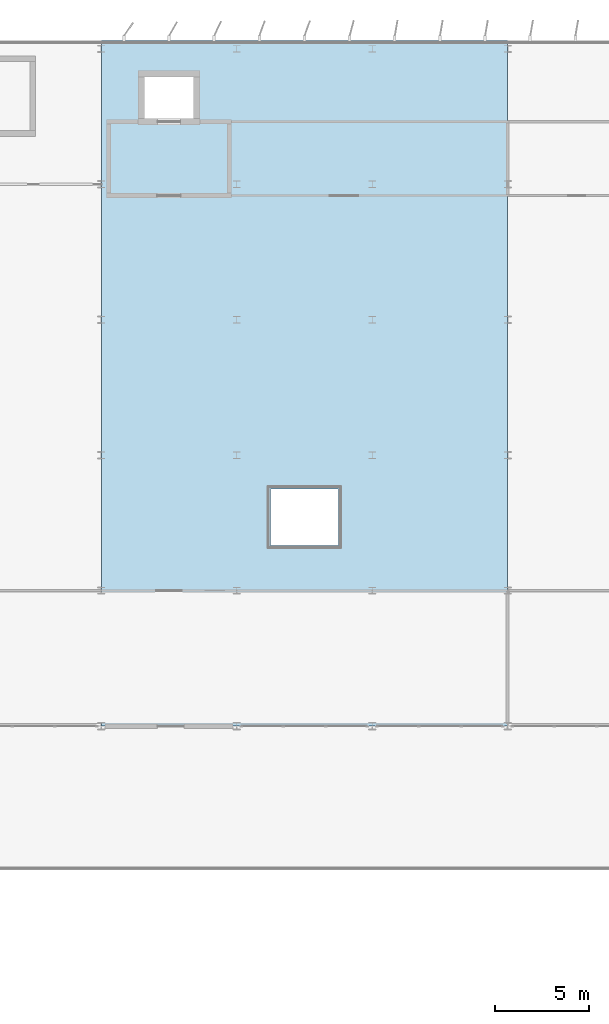
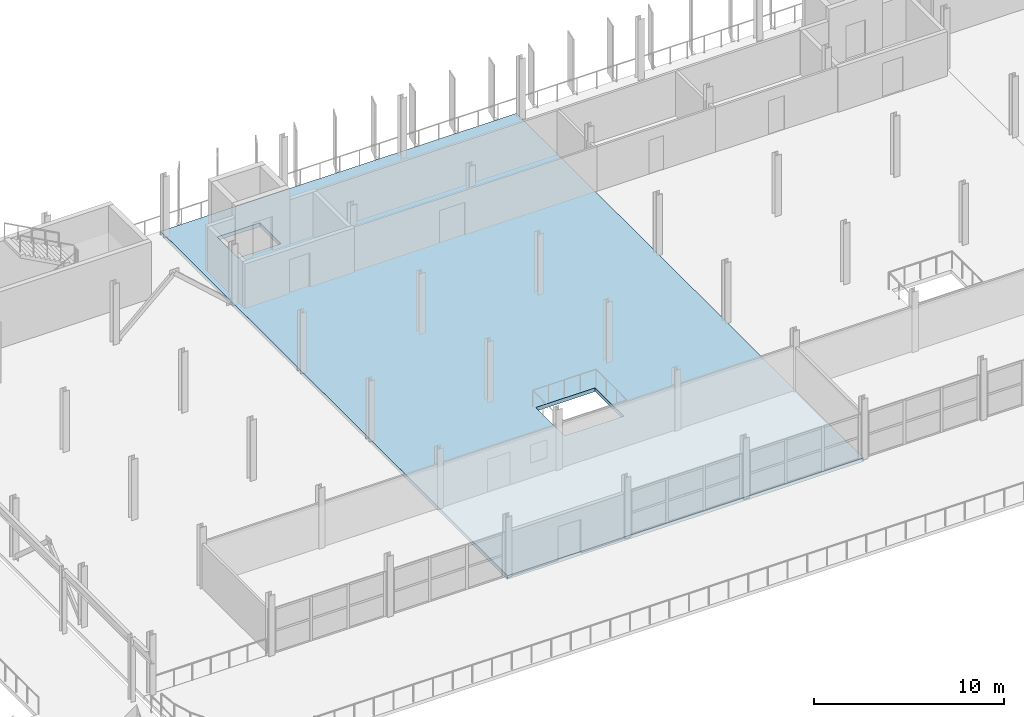
# One storey, part 21 of 40: 1 slab.
"""IFC4 building model written with IfcOpenShell, lengths in metres."""

from ifc_helpers import new_model, si_unit, direction, frame, origin, place, context, subcontext, project, spatial, polyline, outline, extrude, material, layer, layer_set, type_object, element, save


model = new_model("IFC4")

# Units and contexts
model_context = context("Model", 3, precision=1e-05, world=origin(), true_north=direction((0.0, 1.0)))
body_context = subcontext(model_context, "Body", "Model", "MODEL_VIEW")
ifc_project = project(units=[si_unit("LENGTHUNIT", "METRE"), si_unit("AREAUNIT", "SQUARE_METRE"), si_unit("VOLUMEUNIT", "CUBIC_METRE"), si_unit("PLANEANGLEUNIT", "RADIAN"), si_unit("MASSUNIT", "GRAM", prefix="KILO")], contexts=[model_context])

# Site, building, storey
site_placement = place(None, origin())
site = spatial("IfcSite", under=ifc_project, at=site_placement, CompositionType="ELEMENT")
building_placement = place(site_placement, origin())
building = spatial("IfcBuilding", under=site, at=building_placement, Name="Vaelcorin Mobility Hub", CompositionType="ELEMENT")
storey_placement = place(building_placement, frame((0.0, 0.0, 17.10009765625)))
storey = spatial("IfcBuildingStorey", under=building, at=storey_placement, Name="L04", CompositionType="ELEMENT", Elevation=17.10009765625)

# Slab
ifc_material = material(Name="Concrete f'c 35 MPa", Category="concrete")
ifc_layer = layer(ifc_material, 0.239990234375)
ifc_layer_set = layer_set([ifc_layer], Name="Concrete f'c 35 MPa")
slab_type = type_object("IfcSlabType", Name="SLAB-PK2", PredefinedType="FLOOR", material=ifc_layer_set)
slab_placement = place(storey_placement, frame((0.0, 0.0, -0.239990234375)))
element("IfcSlab", 1, at=slab_placement, inside=storey, type_object=slab_type, Name="L04 EV Mobility Deck SL-V4-L04-Q2", PredefinedType="FLOOR", context=body_context, shape_type="SweptSolid", body=[
    extrude(outline(polyline([(57.60009765625, 120.449951171875), (79.199951171875, 120.449951171875), (79.199951171875, 84.0), (57.60009765625, 84.0), (57.60009765625, 120.449951171875)]), holes=[polyline([(70.199951171875, 96.60009765625), (66.60009765625, 96.60009765625), (66.60009765625, 93.60009765625), (70.199951171875, 93.60009765625), (70.199951171875, 96.60009765625)]), polyline([(59.89990234375, 118.5), (59.89990234375, 116.300048828125), (62.5, 116.300048828125), (62.5, 118.5), (59.89990234375, 118.5)])]), origin(), (0.0, 0.0, 1.0), 0.239990234375),
])

save(model, "model.ifc")
